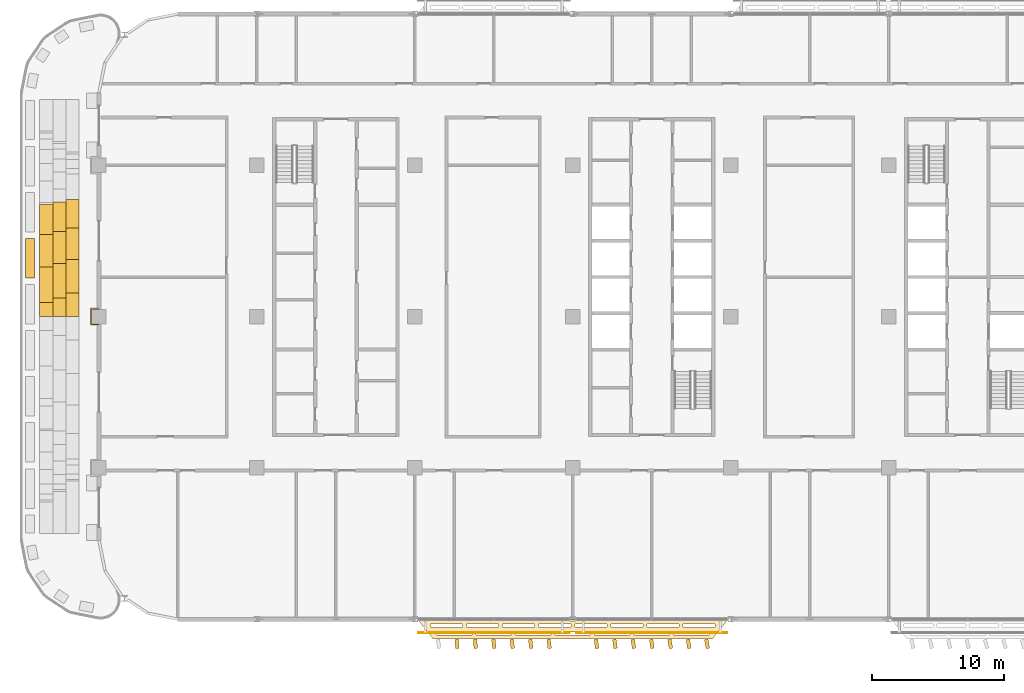
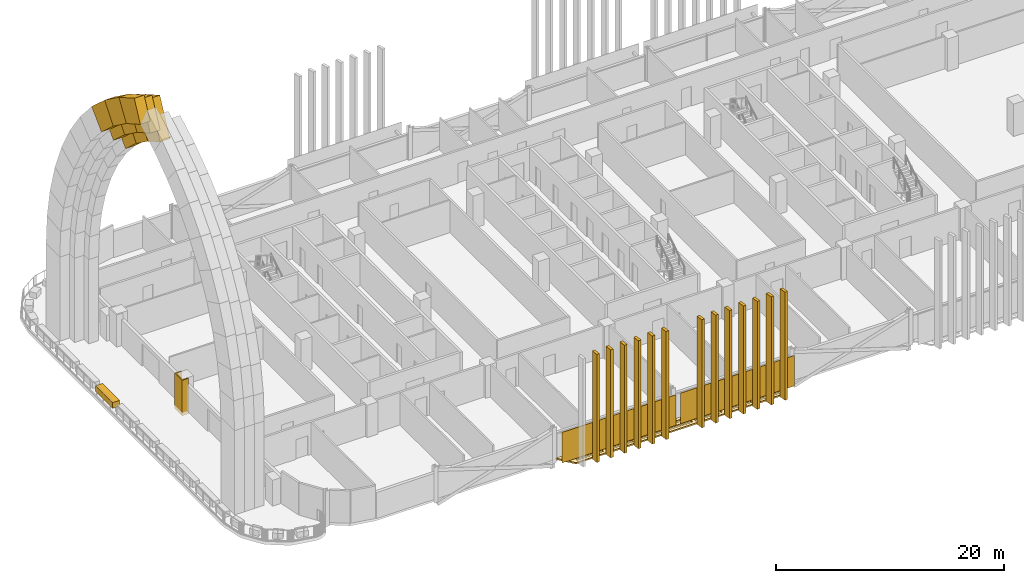
# One storey, part 22 of 28: 27 coverings.
"""IFC4 building model written with IfcOpenShell, lengths in metres."""

import ifcopenshell
import ifcopenshell.guid

model = None  # the IFC model being written
_history = None  # IfcOwnerHistory: only IFC2X3 demands one
_inside = {}  # id of a spatial element -> (the spatial element, [elements in it])
_under = {}  # id of a project, library or spatial element -> (it, [spatial elements below it])
_declared = {}  # id of a project -> (the project, [libraries it declares])
_typed = {}  # id of a type object -> (the type object, [elements of that type])
_made_of = {}  # id of a material, layer set ... -> (it, [elements and type objects made of it])


def new_model(schema):
    """Start an empty IFC model of exactly this schema.

    Asked for "IFC4X3", IfcOpenShell would pick the latest addendum, in which some entities
    have other attributes; the version numbers below select the first issue.
    IFC2X3 requires an IfcOwnerHistory on every rooted entity: one is made here for all.
    """
    global model, _history
    if schema == "IFC4X3":
        model = ifcopenshell.file(schema_version=(4, 3, 0, 0))
    else:
        model = ifcopenshell.file(schema=schema)
    _inside.clear()
    _under.clear()
    _declared.clear()
    _typed.clear()
    _made_of.clear()
    _history = None
    if model.schema == "IFC2X3":
        org = make("IfcOrganization", Name="unknown")
        user = make(
            "IfcPersonAndOrganization",
            ThePerson=make("IfcPerson", FamilyName="unknown"),
            TheOrganization=org,
        )
        app = make(
            "IfcApplication",
            ApplicationDeveloper=org,
            Version="unknown",
            ApplicationFullName="unknown",
            ApplicationIdentifier="unknown",
        )
        _history = make(
            "IfcOwnerHistory",
            OwningUser=user,
            OwningApplication=app,
            ChangeAction="ADDED",
            CreationDate=0,
        )
    return model


def make(cls, **values):
    """One entity of the class cls with the attributes given. An attribute that is None is left unset."""
    return model.create_entity(
        cls, **{name: value for name, value in values.items() if value is not None}
    )


def rooted(cls, **values):
    """An entity with a GlobalId (a new one), such as an element, a storey or a relation."""
    return make(cls, GlobalId=ifcopenshell.guid.new(), OwnerHistory=_history, **values)


def si_unit(unit_type, name, prefix=None):
    """IfcSIUnit, for example si_unit("LENGTHUNIT", "METRE", prefix="MILLI")."""
    return make("IfcSIUnit", UnitType=unit_type, Prefix=prefix, Name=name)


def assignment(units):
    """IfcUnitAssignment: the units of a project."""
    return None if units is None else make("IfcUnitAssignment", Units=units)


def point(xyz):
    """IfcCartesianPoint."""
    return None if xyz is None else make("IfcCartesianPoint", Coordinates=xyz)


def direction(xyz):
    """IfcDirection."""
    return None if xyz is None else make("IfcDirection", DirectionRatios=xyz)


def frame(location, z_axis=None, x_axis=None):
    """IfcAxis2Placement3D, a coordinate frame: its origin and axes. An axis left out is left unset."""
    return make(
        "IfcAxis2Placement3D",
        Location=point(location),
        Axis=direction(z_axis),
        RefDirection=direction(x_axis),
    )


def frame_2d(location, x_axis=None):
    """IfcAxis2Placement2D, a coordinate frame in the plane: its origin and x axis."""
    return make(
        "IfcAxis2Placement2D", Location=point(location), RefDirection=direction(x_axis)
    )


def origin():
    """The frame at (0, 0, 0) with its axes left unset."""
    return frame((0.0, 0.0, 0.0))


def origin_2d():
    """The frame at (0, 0) in the plane with its x axis left unset."""
    return frame_2d((0.0, 0.0))


def place(relative_to, where):
    """IfcLocalPlacement: puts the frame where relative to a parent placement (None: the world)."""
    return make(
        "IfcLocalPlacement", PlacementRelTo=relative_to, RelativePlacement=where
    )


def context(
    kind, dimensions, precision=None, world=None, true_north=None, identifier=None
):
    """IfcGeometricRepresentationContext, for example the 3D "Model" context."""
    return make(
        "IfcGeometricRepresentationContext",
        ContextIdentifier=identifier,
        ContextType=kind,
        CoordinateSpaceDimension=dimensions,
        Precision=precision,
        WorldCoordinateSystem=world,
        TrueNorth=true_north,
    )


def subcontext(parent, identifier, kind, view, scale=None):
    """IfcGeometricRepresentationSubContext, for example "Body" below "Model"."""
    return make(
        "IfcGeometricRepresentationSubContext",
        ContextIdentifier=identifier,
        ContextType=kind,
        ParentContext=parent,
        TargetScale=scale,
        TargetView=view,
    )


def project(units=None, contexts=None):
    """IfcProject with its units and contexts."""
    return rooted(
        "IfcProject",
        Name="project",
        RepresentationContexts=contexts,
        UnitsInContext=assignment(units),
    )


def spatial(cls, under=None, at=None, **own):
    """A site, building, storey or space (cls), placed at a placement, below another one or the project."""
    s = rooted(cls, ObjectPlacement=at, **own)
    if under is not None:
        _under.setdefault(under.id(), (under, []))[1].append(s)
    return s


def polyline(points):
    """IfcPolyline through the points."""
    return make("IfcPolyline", Points=[point(p) for p in points])


def profile(cls, at=None, kind="AREA", **sizes):
    """A parametric profile (cls). Its sizes go by their IFC names, for example OverallWidth=200.0."""
    return make(cls, ProfileType=kind, Position=at, **sizes)


def rectangle(**sizes):
    """IfcRectangleProfileDef."""
    return profile("IfcRectangleProfileDef", **sizes)


def outline(outer, holes=None, kind="AREA"):
    """IfcArbitraryClosedProfileDef: a profile drawn as a closed curve; with holes, ...WithVoids."""
    if holes is None:
        return make("IfcArbitraryClosedProfileDef", ProfileType=kind, OuterCurve=outer)
    return make(
        "IfcArbitraryProfileDefWithVoids",
        ProfileType=kind,
        OuterCurve=outer,
        InnerCurves=holes,
    )


def extrude(swept, where, along, depth):
    """IfcExtrudedAreaSolid: the profile swept, set in the frame where, extruded along a direction by depth."""
    return make(
        "IfcExtrudedAreaSolid",
        SweptArea=swept,
        Position=where,
        ExtrudedDirection=direction(along),
        Depth=depth,
    )


def shape(context_of_items, identifier, shape_type, items):
    """IfcShapeRepresentation: the items that make up one representation, for example the "Body"."""
    return make(
        "IfcShapeRepresentation",
        ContextOfItems=context_of_items,
        RepresentationIdentifier=identifier,
        RepresentationType=shape_type,
        Items=items,
    )


def material(Name=None, Category=None):
    """IfcMaterial."""
    return make("IfcMaterial", Name=Name, Category=Category)


def layer(
    of_material, thickness, ventilated=None, Name=None, Category=None, Priority=None
):
    """IfcMaterialLayer: one layer of a wall or slab, of a material (None: an air gap)."""
    return make(
        "IfcMaterialLayer",
        Material=of_material,
        LayerThickness=thickness,
        IsVentilated=ventilated,
        Name=Name,
        Category=Category,
        Priority=Priority,
    )


def layer_set(layers, Name=None):
    """IfcMaterialLayerSet."""
    return make("IfcMaterialLayerSet", MaterialLayers=layers, LayerSetName=Name)


def made_of(thing, what):
    """Note that an element or type object is made of a material, layer set ...; save() writes the relation."""
    if what is not None:
        _made_of.setdefault(what.id(), (what, []))[1].append(thing)
    return thing


def type_object(cls, material=None, **own):
    """A type object (cls), such as IfcWallType, which elements share."""
    return made_of(rooted(cls, **own), material)


def element(
    cls,
    number,
    at=None,
    inside=None,
    cuts=None,
    type_object=None,
    material=None,
    context=None,
    identifier="Body",
    shape_type=None,
    held_by="IfcProductDefinitionShape",
    body=None,
    shapes=None,
    **own,
):
    """One element of the class cls, such as IfcWall. Its Tag is "e" and its number.

    at: its placement. inside: the storey or other place that contains it. cuts: it is an
    opening in that element (IfcRelVoidsElement). A single representation is given by context,
    identifier, shape_type and body (its items); several are given by shapes. held_by: the class
    of the entity that holds the representations. save() writes the other relations.
    """
    e = rooted(cls, Tag="e%d" % number, ObjectPlacement=at, **own)
    if body is not None:
        shapes = [shape(context, identifier, shape_type, body)]
    if shapes is not None:
        e.Representation = make(held_by, Representations=shapes)
    if inside is not None:
        _inside.setdefault(inside.id(), (inside, []))[1].append(e)
    if cuts is not None:
        rooted(
            "IfcRelVoidsElement", RelatingBuildingElement=cuts, RelatedOpeningElement=e
        )
    if type_object is not None:
        _typed.setdefault(type_object.id(), (type_object, []))[1].append(e)
    return made_of(e, material)


def aggregate(whole, parts):
    """IfcRelAggregates: a whole, such as a stair, and the parts it consists of."""
    return rooted("IfcRelAggregates", RelatingObject=whole, RelatedObjects=parts)


def save(model, path):
    """Write the relations noted so far, then the file.

    IfcRelAggregates (storeys below a building ...), IfcRelContainedInSpatialStructure (elements
    in a storey), IfcRelDefinesByType, IfcRelAssociatesMaterial and IfcRelDeclares: one each for
    every whole, place, type object, material and project.
    """
    for whole, parts in _under.values():
        aggregate(whole, parts)
    for where, things in _inside.values():
        rooted(
            "IfcRelContainedInSpatialStructure",
            RelatedElements=things,
            RelatingStructure=where,
        )
    for kind, things in _typed.values():
        rooted("IfcRelDefinesByType", RelatedObjects=things, RelatingType=kind)
    for what, things in _made_of.values():
        rooted("IfcRelAssociatesMaterial", RelatedObjects=things, RelatingMaterial=what)
    for by, libraries in _declared.values():
        rooted("IfcRelDeclares", RelatingContext=by, RelatedDefinitions=libraries)
    model.write(path)


model = new_model("IFC4")

# Units and contexts
model_context = context("Model", 3, precision=1e-05, world=origin(), true_north=direction((0.0, 1.0)))
body_context = subcontext(model_context, "Body", "Model", "MODEL_VIEW")
ifc_project = project(units=[si_unit("LENGTHUNIT", "METRE"), si_unit("AREAUNIT", "SQUARE_METRE"), si_unit("VOLUMEUNIT", "CUBIC_METRE"), si_unit("PLANEANGLEUNIT", "RADIAN"), si_unit("MASSUNIT", "GRAM", prefix="KILO")], contexts=[model_context])

# Site, building, storey
site_placement = place(None, origin())
site = spatial("IfcSite", under=ifc_project, at=site_placement, CompositionType="ELEMENT")
building_placement = place(site_placement, origin())
building = spatial("IfcBuilding", under=site, at=building_placement, Name="Mahtab Terrace Research Tower", CompositionType="ELEMENT")
storey_placement = place(building_placement, frame((0.0, 0.0, 193.89990234375)))
storey = spatial("IfcBuildingStorey", under=building, at=storey_placement, Name="L46", CompositionType="ELEMENT", Elevation=193.89990234375)

# Coverings
ifc_material_1 = material(Name="Dark anodised aluminium cladding", Category="aluminium")
ifc_layer_1 = layer(ifc_material_1, 0.10009765625)
ifc_layer_set_1 = layer_set([ifc_layer_1], Name="Column casing 100")
covering_type_1 = type_object("IfcCoveringType", Name="Column casing 100", PredefinedType="CLADDING", material=ifc_layer_set_1)
covering_1_placement = place(storey_placement, frame((0.0, 0.0, -0.33984375)))
element("IfcCovering", 1, at=covering_1_placement, inside=storey, type_object=covering_type_1, Name="Column casing RC-1B L46", PredefinedType="CLADDING", context=body_context, shape_type="SweptSolid", body=[
    extrude(outline(polyline([(-42.64990234375, 0.64990234375), (-42.0, 0.64990234375), (-42.0, 0.550048828125), (-42.550048828125, 0.550048828125), (-42.550048828125, -0.550048828125), (-42.0, -0.550048828125), (-42.0, -0.64990234375), (-42.64990234375, -0.64990234375), (-42.64990234375, 0.64990234375)])), origin(), (0.0, 0.0, 1.0), 3.800048828125),
])
ifc_material_2 = material(Name="Black anodised aluminium", Category="aluminium")
ifc_layer_2 = layer(ifc_material_2, 0.14990234375)
ifc_layer_set_2 = layer_set([ifc_layer_2], Name="Horizontal sunshade band")
covering_type_2 = type_object("IfcCoveringType", Name="Horizontal sunshade band", PredefinedType="CLADDING", material=ifc_layer_set_2)
covering_2_placement = place(storey_placement, frame((0.0, 0.0, -0.14990234375)))
element("IfcCovering", 2, at=covering_2_placement, inside=storey, type_object=covering_type_2, Name="Sunshade band L46 25", PredefinedType="CLADDING", context=body_context, shape_type="SweptSolid", body=[
    extrude(outline(polyline([(-17.800048828125, -23.0), (5.800048828125, -23.0), (4.60009765625, -24.5), (-16.60009765625, -24.5), (-17.800048828125, -23.0)]), holes=[polyline([(-16.820068359375, -23.35009765625), (-14.3779296875, -23.35009765625), (-14.3779296875, -23.60009765625), (-16.820068359375, -23.60009765625), (-16.820068359375, -23.35009765625)]), polyline([(-14.077880859375, -23.35009765625), (-11.635009765625, -23.35009765625), (-11.635009765625, -23.60009765625), (-14.077880859375, -23.60009765625), (-14.077880859375, -23.35009765625)]), polyline([(-11.3349609375, -23.35009765625), (-8.89306640625, -23.35009765625), (-8.89306640625, -23.60009765625), (-11.3349609375, -23.60009765625), (-11.3349609375, -23.35009765625)]), polyline([(-8.593017578125, -23.35009765625), (-6.14990234375, -23.35009765625), (-6.14990234375, -23.60009765625), (-8.593017578125, -23.60009765625), (-8.593017578125, -23.35009765625)]), polyline([(-5.85009765625, -23.35009765625), (-3.406982421875, -23.35009765625), (-3.406982421875, -23.60009765625), (-5.85009765625, -23.60009765625), (-5.85009765625, -23.35009765625)]), polyline([(-3.10791015625, -23.35009765625), (-0.6650390625, -23.35009765625), (-0.6650390625, -23.60009765625), (-3.10791015625, -23.60009765625), (-3.10791015625, -23.35009765625)]), polyline([(-0.364990234375, -23.35009765625), (2.077880859375, -23.35009765625), (2.077880859375, -23.60009765625), (-0.364990234375, -23.60009765625), (-0.364990234375, -23.35009765625)]), polyline([(2.376953125, -23.35009765625), (4.820068359375, -23.35009765625), (4.820068359375, -23.60009765625), (2.376953125, -23.60009765625), (2.376953125, -23.35009765625)]), polyline([(-16.340087890625, -23.949951171875), (-13.64306640625, -23.949951171875), (-13.64306640625, -24.199951171875), (-16.340087890625, -24.199951171875), (-16.340087890625, -23.949951171875)]), polyline([(-13.343017578125, -23.949951171875), (-10.64599609375, -23.949951171875), (-10.64599609375, -24.199951171875), (-13.343017578125, -24.199951171875), (-13.343017578125, -23.949951171875)]), polyline([(-10.345947265625, -23.949951171875), (-7.64892578125, -23.949951171875), (-7.64892578125, -24.199951171875), (-10.345947265625, -24.199951171875), (-10.345947265625, -23.949951171875)]), polyline([(-7.34912109375, -23.949951171875), (-4.65087890625, -23.949951171875), (-4.65087890625, -24.199951171875), (-7.34912109375, -24.199951171875), (-7.34912109375, -23.949951171875)]), polyline([(-4.35107421875, -23.949951171875), (-1.654052734375, -23.949951171875), (-1.654052734375, -24.199951171875), (-4.35107421875, -24.199951171875), (-4.35107421875, -23.949951171875)]), polyline([(-1.35400390625, -23.949951171875), (1.343017578125, -23.949951171875), (1.343017578125, -24.199951171875), (-1.35400390625, -24.199951171875), (-1.35400390625, -23.949951171875)]), polyline([(1.64306640625, -23.949951171875), (4.340087890625, -23.949951171875), (4.340087890625, -24.199951171875), (1.64306640625, -24.199951171875), (1.64306640625, -23.949951171875)])]), origin(), (0.0, 0.0, 1.0), 0.14990234375),
])
ifc_material_3 = material(Name="Glazed ceramic tile cladding", Category="masonry")
ifc_layer_3 = layer(ifc_material_3, 1.0)
ifc_layer_set_3 = layer_set([ifc_layer_3], Name="Iwan portal cladding arch course 800")
covering_type_3 = type_object("IfcCoveringType", Name="Iwan portal cladding arch course 800", PredefinedType="CLADDING", material=ifc_layer_set_3)
covering_3_placement = place(storey_placement, frame((-43.5, 8.89208984375, 27.614013671875), z_axis=(1.0, 0.0, 0.0), x_axis=(0.0, -0.739819819985, 0.672805048998)))
element("IfcCovering", 3, at=covering_3_placement, inside=storey, type_object=covering_type_3, Name="Iwan portal arch course 5.1.1W8", PredefinedType="CLADDING", context=body_context, shape_type="SweptSolid", body=[
    extrude(outline(polyline([(0.0, 0.0), (2.939971016413362, 0.0), (2.71948886950093, 3.9937911397832875), (0.22217448948662866, 3.994740667354298), (0.0, 0.0)])), origin(), (0.0, 0.0, -1.0), 1.0),
])
covering_4_placement = place(storey_placement, frame((-43.5, 6.717041015625, 29.592041015625), z_axis=(1.0, 0.0, 0.0), x_axis=(0.0, -0.809761272572, 0.586759474949)))
element("IfcCovering", 4, at=covering_4_placement, inside=storey, type_object=covering_type_3, Name="Iwan portal arch course 5.1.1W9", PredefinedType="CLADDING", context=body_context, shape_type="SweptSolid", body=[
    extrude(outline(polyline([(0.0, 0.0), (2.941706597747884, 0.0), (2.719225227724443, 3.9931159090194077), (0.22304665752895247, 3.9936487369176286), (0.0, 0.0)])), origin(), (0.0, 0.0, -1.0), 1.0),
])
covering_5_placement = place(storey_placement, frame((-43.5, 4.3349609375, 31.318115234375), z_axis=(1.0, 0.0, 0.0), x_axis=(0.0, -0.869726379364, 0.493534218711)))
element("IfcCovering", 5, at=covering_5_placement, inside=storey, type_object=covering_type_3, Name="Iwan portal arch course 5.1.1W10", PredefinedType="CLADDING", context=body_context, shape_type="SweptSolid", body=[
    extrude(outline(polyline([(0.0, 0.0), (2.9398726154484622, 0.0), (2.7179754052691596, 3.9937778462929474), (0.22082470585125602, 3.9932078673864586), (0.0, 0.0)])), origin(), (0.0, 0.0, -1.0), 1.0),
])
covering_6_placement = place(storey_placement, frame((-44.5, 8.7080078125, 28.06201171875), z_axis=(1.0, 0.0, 0.0), x_axis=(0.0, -0.739672289455, 0.672967238587)))
element("IfcCovering", 6, at=covering_6_placement, inside=storey, type_object=covering_type_3, Name="Iwan portal arch course 5.1.2W8", PredefinedType="CLADDING", context=body_context, shape_type="SweptSolid", body=[
    extrude(outline(polyline([(0.0, 0.0), (3.0121817127832706, 0.0), (2.8339723202551905, 3.19463241648534), (0.17712800549936736, 3.1947902642836166), (0.0, 0.0)])), origin(), (0.0, 0.0, -1.0), 1.0),
])
covering_7_placement = place(storey_placement, frame((-44.5, 6.47998046875, 30.089111328125), z_axis=(1.0, 0.0, 0.0), x_axis=(0.0, -0.809681720218, 0.586869246038)))
element("IfcCovering", 7, at=covering_7_placement, inside=storey, type_object=covering_type_3, Name="Iwan portal arch course 5.1.2W9", PredefinedType="CLADDING", context=body_context, shape_type="SweptSolid", body=[
    extrude(outline(polyline([(0.0, 0.0), (3.011045229716207, 2.220446049250313e-16), (2.833209218306618, 3.1948302139574554), (0.17684786794746654, 3.194708076749208), (0.0, 0.0)])), origin(), (0.0, 0.0, -1.0), 1.0),
])
covering_8_placement = place(storey_placement, frame((-44.5, 4.0419921875, 31.856201171875), z_axis=(1.0, 0.0, 0.0), x_axis=(0.0, -0.869844808613, 0.493325459437)))
element("IfcCovering", 8, at=covering_8_placement, inside=storey, type_object=covering_type_3, Name="Iwan portal arch course 5.1.2W10", PredefinedType="CLADDING", context=body_context, shape_type="SweptSolid", body=[
    extrude(outline(polyline([(0.0, 0.0), (3.011885592617542, 2.220446049250313e-16), (2.8350541575197368, 3.19451391834238), (0.17804520353807018, 3.194818562683427), (0.0, 0.0)])), origin(), (0.0, 0.0, -1.0), 1.0),
])
covering_9_placement = place(storey_placement, frame((-45.5, 8.52392578125, 28.510986328125), z_axis=(1.0, 0.0, 0.0), x_axis=(0.0, -0.739703485273, 0.672932949018)))
element("IfcCovering", 9, at=covering_9_placement, inside=storey, type_object=covering_type_3, Name="Iwan portal arch course 5.1.3W8", PredefinedType="CLADDING", context=body_context, shape_type="SweptSolid", body=[
    extrude(outline(polyline([(0.0, 0.0), (3.0823557577703244, 0.0), (2.949162815879968, 2.39613664527399), (0.13313359551077175, 2.3961646071067957), (0.0, 0.0)])), origin(), (0.0, 0.0, -1.0), 1.0),
])
covering_10_placement = place(storey_placement, frame((-45.5, 6.243896484375, 30.585205078125), z_axis=(1.0, 0.0, 0.0), x_axis=(0.0, -0.809711116707, 0.586828686655)))
element("IfcCovering", 10, at=covering_10_placement, inside=storey, type_object=covering_type_3, Name="Iwan portal arch course 5.1.3W9", PredefinedType="CLADDING", context=body_context, shape_type="SweptSolid", body=[
    extrude(outline(polyline([(0.0, 0.0), (3.082395138066831, 2.220446049250313e-16), (2.9492184006729416, 2.3958106000106723), (0.13312408241603801, 2.3961404719413233), (0.0, 0.0)])), origin(), (0.0, 0.0, -1.0), 1.0),
])
covering_11_placement = place(storey_placement, frame((-45.5, 3.748046875, 32.39404296875), z_axis=(1.0, 0.0, 0.0), x_axis=(0.0, -0.869652837686, 0.493663794403)))
element("IfcCovering", 11, at=covering_11_placement, inside=storey, type_object=covering_type_3, Name="Iwan portal arch course 5.1.3W10", PredefinedType="CLADDING", context=body_context, shape_type="SweptSolid", body=[
    extrude(outline(polyline([(0.0, 0.0), (3.083014540473139, 0.0), (2.9495134484746792, 2.3963558765150306), (0.13264629234393233, 2.3958400271374103), (0.0, 0.0)])), origin(), (0.0, 0.0, -1.0), 1.0),
])
ifc_material_4 = material(Name="Planting soil and shrubs")
ifc_layer_4 = layer(ifc_material_4, 0.1201171875)
ifc_layer_set_4 = layer_set([ifc_layer_4], Name="Planter")
covering_type_4 = type_object("IfcCoveringType", Name="Planter", PredefinedType="USERDEFINED", material=ifc_layer_set_4)
covering_12_placement = place(storey_placement, frame((-47.25, 4.43408203125, 0.030029296875), z_axis=(0.0, 0.0, 1.0), x_axis=(0.0, -1.0, 0.0)))
element("IfcCovering", 12, at=covering_12_placement, inside=storey, type_object=covering_type_4, Name="PLANTER terrace 5", ObjectType="PLANTER", PredefinedType="USERDEFINED", context=body_context, shape_type="SweptSolid", body=[
    extrude(rectangle(XDim=3.0, YDim=0.699951171875, at=origin_2d()), origin(), (0.0, 0.0, 1.0), 0.60009765625),
])
ifc_material_5 = material(Name="Bronze anodised aluminium", Category="aluminium")
ifc_layer_5 = layer(ifc_material_5, 0.050048828125)
ifc_layer_set_5 = layer_set([ifc_layer_5], Name="Sky lounge girih screen panel")
covering_type_5 = type_object("IfcCoveringType", Name="Sky lounge girih screen panel", PredefinedType="CLADDING", material=ifc_layer_set_5)
for number, where, z_axis, x_axis, name in (
    (13, (-12.0, -24.02490234375, 0.10009765625), (0.0, 0.0, 1.0), (1.0, 0.0, 0.0), "Girih screen L46 S26"),
    (14, (0.0, -24.02490234375, 0.10009765625), (0.0, 0.0, 1.0), (1.0, 0.0, 0.0), "Girih screen L46 S27"),
):
    element("IfcCovering", number, at=place(storey_placement, frame(where, z_axis=z_axis, x_axis=x_axis)), inside=storey, type_object=covering_type_5, Name=name, PredefinedType="CLADDING", context=body_context, shape_type="SweptSolid", body=[
        extrude(rectangle(XDim=11.5, YDim=0.050048828125, at=origin_2d()), origin(), (0.0, 0.0, 1.0), 3.260009765625),
    ])
ifc_layer_6 = layer(ifc_material_5, 0.1201171875)
ifc_layer_set_6 = layer_set([ifc_layer_6], Name="Vertical fin 700")
covering_type_6 = type_object("IfcCoveringType", Name="Vertical fin 700", PredefinedType="CLADDING", material=ifc_layer_set_6)
for number, where, z_axis, x_axis, name in (
    (15, (-14.800048828125, -24.86083984375, -0.14990234375), (0.0, 0.0, 1.0), (0.996121918106, 0.087983659104, 0.0), "Fin L46 S2"),
    (16, (-13.39990234375, -24.861572265625, -0.14990234375), (0.0, 0.0, 1.0), (0.995593195301, 0.093777339855, 0.0), "Fin L46 S3"),
    (17, (-12.0, -24.8623046875, -0.14990234375), (0.0, 0.0, 1.0), (0.995030775366, 0.099567846591, 0.0), "Fin L46 S4"),
    (18, (-10.60009765625, -24.86279296875, -0.14990234375), (0.0, 0.0, 1.0), (0.994434677334, 0.105354983343, 0.0), "Fin L46 S5"),
    (19, (-9.199951171875, -24.86328125, -0.14990234375), (0.0, 0.0, 1.0), (0.993804921385, 0.111138554202, 0.0), "Fin L46 S6"),
    (20, (-7.800048828125, -24.864013671875, -0.14990234375), (0.0, 0.0, 1.0), (0.993141528832, 0.116918363435, 0.0), "Fin L46 S7"),
    (21, (-4.199951171875, -24.865478515625, -0.14990234375), (0.0, 0.0, 1.0), (0.991281368707, 0.131762088833, 0.0), "Fin L46 S1"),
    (22, (-2.800048828125, -24.865966796875, -0.14990234375), (0.0, 0.0, 1.0), (0.990498036675, 0.137526867716, 0.0), "Fin L46 S2"),
    (23, (-1.39990234375, -24.866455078125, -0.14990234375), (0.0, 0.0, 1.0), (0.989681179966, 0.143286991809, 0.0), "Fin L46 S3"),
    (24, (0.0, -24.866943359375, -0.14990234375), (0.0, 0.0, 1.0), (0.988830826226, 0.149042266169, 0.0), "Fin L46 S4"),
    (25, (1.39990234375, -24.867431640625, -0.14990234375), (0.0, 0.0, 1.0), (0.987947004235, 0.154792496019, 0.0), "Fin L46 S5"),
    (26, (2.800048828125, -24.867919921875, -0.14990234375), (0.0, 0.0, 1.0), (0.98702974391, 0.160537486702, 0.0), "Fin L46 S6"),
    (27, (4.199951171875, -24.868408203125, -0.14990234375), (0.0, 0.0, 1.0), (0.986079076296, 0.166277043787, 0.0), "Fin L46 S7"),
):
    element("IfcCovering", number, at=place(storey_placement, frame(where, z_axis=z_axis, x_axis=x_axis)), inside=storey, type_object=covering_type_6, Name=name, PredefinedType="CLADDING", context=body_context, shape_type="SweptSolid", body=[
        extrude(rectangle(XDim=0.280029296875, YDim=0.699951171875, at=origin_2d()), origin(), (0.0, 0.0, 1.0), 11.550048828125),
    ])

save(model, "model.ifc")
